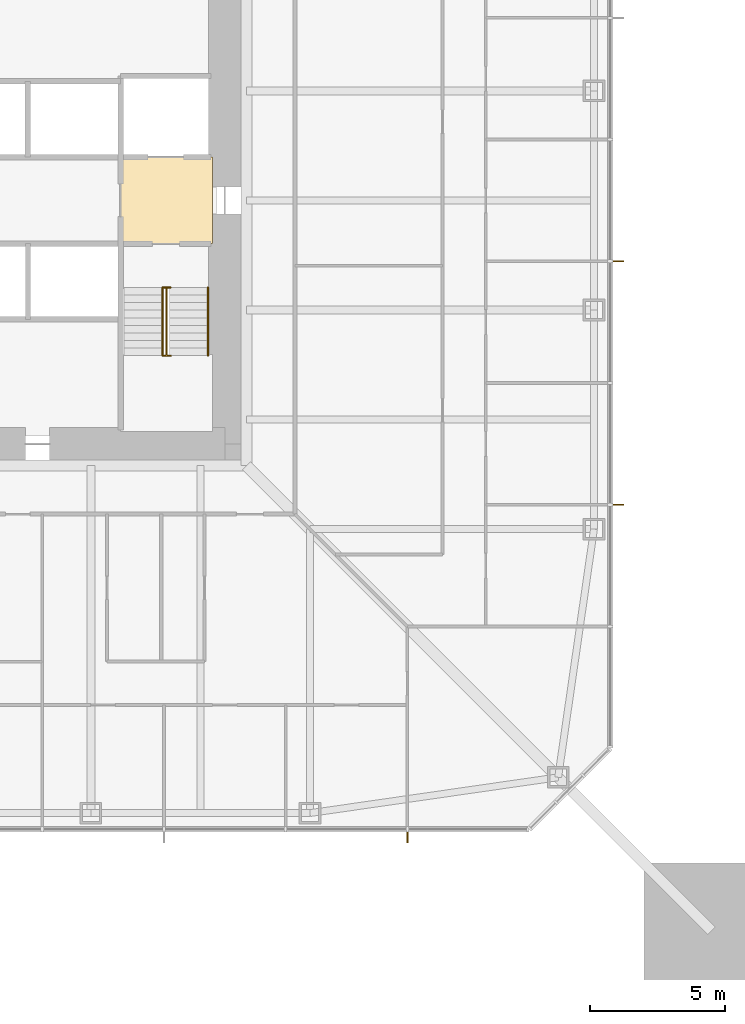
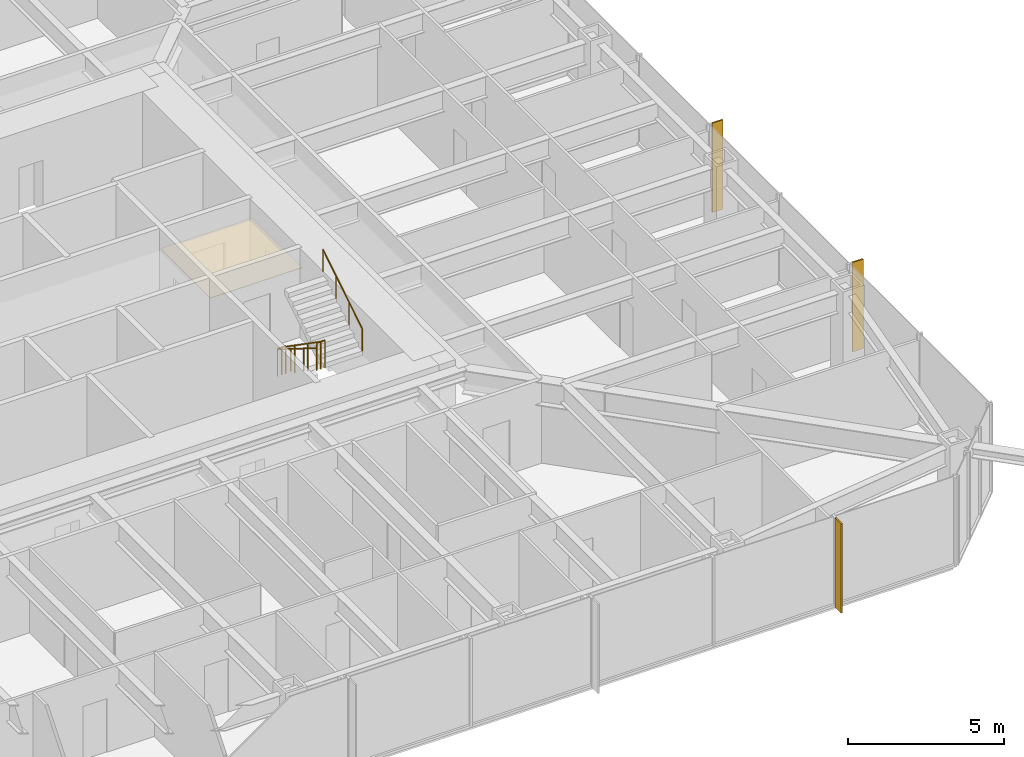
# One storey, part 24 of 26: 3 railings, 3 shading devices, 1 covering.
"""IFC4 building model written with IfcOpenShell, lengths in metres."""

from ifc_helpers import new_model, si_unit, direction, frame, origin, origin_2d, place, context, subcontext, project, spatial, polyline, rectangle, circle, outline, extrude, material, layer, layer_set, constituent, constituent_set, type_object, element, save


model = new_model("IFC4")

# Units and contexts
model_context = context("Model", 3, precision=1e-05, world=origin(), true_north=direction((0.0, 1.0)))
body_context = subcontext(model_context, "Body", "Model", "MODEL_VIEW")
ifc_project = project(units=[si_unit("LENGTHUNIT", "METRE"), si_unit("AREAUNIT", "SQUARE_METRE"), si_unit("VOLUMEUNIT", "CUBIC_METRE"), si_unit("PLANEANGLEUNIT", "RADIAN"), si_unit("MASSUNIT", "GRAM", prefix="KILO")], contexts=[model_context])

# Site, building, storey
site_placement = place(None, origin())
site = spatial("IfcSite", under=ifc_project, at=site_placement, CompositionType="ELEMENT")
building_placement = place(site_placement, origin())
building = spatial("IfcBuilding", under=site, at=building_placement, Name="Iwan Alto Co-Living Towers", CompositionType="ELEMENT")
storey_placement = place(building_placement, frame((0.0, 0.0, 46.5)))
storey = spatial("IfcBuildingStorey", under=building, at=storey_placement, Name="L12", CompositionType="ELEMENT", Elevation=46.5)

# Covering
ifc_material_1 = material(Name="Mineral fibre acoustic tiles on steel grid", Category="steel")
ifc_layer_1 = layer(ifc_material_1, 0.02001953125)
ifc_layer_set_1 = layer_set([ifc_layer_1], Name="ACOUSTIC TILE CEILING 20")
covering_type = type_object("IfcCoveringType", Name="ACOUSTIC TILE CEILING 20", PredefinedType="CEILING", material=ifc_layer_set_1)
covering_placement = place(storey_placement, frame((0.0, 0.0, 2.60009765625)))
element("IfcCovering", 1, at=covering_placement, inside=storey, type_object=covering_type, Name="Ceiling Firefighting lobby L12", PredefinedType="CEILING", context=body_context, shape_type="SweptSolid", body=[
    extrude(outline(polyline([(5.14990234375, -1.60009765625), (5.14990234375, 1.60009765625), (8.550048828125, 1.60009765625), (8.550048828125, -1.60009765625), (5.14990234375, -1.60009765625)])), origin(), (0.0, 0.0, 1.0), 0.02001953125),
])

# Shading devices
ifc_material_2 = material(Name="Aluminium 6063-T6 bronze anodised", Category="aluminium")
ifc_layer_2 = layer(ifc_material_2, 0.050048828125)
ifc_layer_set_2 = layer_set([ifc_layer_2], Name="BRONZE FIN 50X400")
shading_device_type = type_object("IfcShadingDeviceType", Name="BRONZE FIN 50X400", PredefinedType="USERDEFINED", material=ifc_layer_set_2)
for number, where, z_axis, x_axis, name in (
    (2, (15.75, -23.550048828125, 0.0), (0.0, 0.0, 1.0), (1.0, 0.0, 0.0), "Bronze fin L12"),
    (3, (23.550048828125, -11.25, 0.0), (0.0, 0.0, 1.0), (0.0, 1.0, 0.0), "Bronze fin L12"),
    (4, (23.550048828125, -2.25, 0.0), (0.0, 0.0, 1.0), (0.0, 1.0, 0.0), "Bronze fin L12"),
):
    element("IfcShadingDevice", number, at=place(storey_placement, frame(where, z_axis=z_axis, x_axis=x_axis)), inside=storey, type_object=shading_device_type, Name=name, ObjectType="LOUVER", PredefinedType="USERDEFINED", context=body_context, shape_type="SweptSolid", body=[
        extrude(rectangle(XDim=0.050048828125, YDim=0.39990234375, at=origin_2d()), origin(), (0.0, 0.0, 1.0), 3.5),
    ])

# Railings
ifc_material_3 = material(Name="Steel ASTM A500 Gr C", Category="steel")
ifc_constituent_1 = constituent(ifc_material_3, Name="Rails and posts", Category="Framing")
ifc_material_4 = material(Name="Steel ASTM A36", Category="steel")
ifc_constituent_2 = constituent(ifc_material_4, Name="Bar infill", Category="Infill")
ifc_constituent_set = constituent_set(constituents=[ifc_constituent_1, ifc_constituent_2], Name="STAIR GUARD 1100")
railing_type_1 = type_object("IfcRailingType", Name="STAIR GUARD 1100", PredefinedType="GUARDRAIL", material=ifc_constituent_set)
railing_1_placement = place(storey_placement, frame((6.85009765625, -3.219970703125, 0.0)))
element("IfcRailing", 5, at=railing_1_placement, inside=storey, type_object=railing_type_1, Name="Stair T1-S2 well guard L12", PredefinedType="GUARDRAIL", context=body_context, shape_type="SweptSolid", body=[
    extrude(circle(Radius=0.02392578125, at=origin_2d()), frame((0.0, 0.0, 1.076171875), z_axis=(0.0, -0.821372036852, 0.570392826987), x_axis=(1.0, 0.0, 0.0)), (0.0, 0.0, 1.0), 3.068115234375),
    extrude(circle(Radius=0.02392578125, at=origin_2d()), frame((-0.150146484375, 0.0, 1.076171875), z_axis=(1.0, 0.0, 0.0), x_axis=(0.0, 1.0, 0.0)), (0.0, 0.0, 1.0), 0.300048828125),
    extrude(circle(Radius=0.02392578125, at=origin_2d()), frame((-0.150146484375, -2.52001953125, 2.826171875), z_axis=(1.0, 0.0, 0.0), x_axis=(0.0, 1.0, 0.0)), (0.0, 0.0, 1.0), 0.300048828125),
    extrude(circle(Radius=0.02099609375, at=origin_2d()), origin(), (0.0, 0.0, 1.0), 1.052001953125),
    extrude(circle(Radius=0.02099609375, at=origin_2d()), frame((0.0, -0.840087890625, 0.583251953125)), (0.0, 0.0, 1.0), 1.052001953125),
    extrude(circle(Radius=0.02099609375, at=origin_2d()), frame((0.0, -1.679931640625, 1.166748046875)), (0.0, 0.0, 1.0), 1.052001953125),
    extrude(circle(Radius=0.02099609375, at=origin_2d()), frame((0.0, -2.52001953125, 1.75)), (0.0, 0.0, 1.0), 1.052001953125),
    extrude(circle(Radius=0.02099609375, at=origin_2d()), frame((-0.150146484375, 0.0, 0.0)), (0.0, 0.0, 1.0), 1.052001953125),
    extrude(circle(Radius=0.02099609375, at=origin_2d()), frame((0.14990234375, 0.0, 0.0)), (0.0, 0.0, 1.0), 1.052001953125),
    extrude(circle(Radius=0.02099609375, at=origin_2d()), frame((-0.150146484375, -2.52001953125, 1.75)), (0.0, 0.0, 1.0), 1.052001953125),
    extrude(circle(Radius=0.02099609375, at=origin_2d()), frame((0.14990234375, -2.52001953125, 1.75)), (0.0, 0.0, 1.0), 1.052001953125),
])
ifc_material_5 = material(Name="Steel ASTM A500 Gr C", Category="steel")
railing_type_2 = type_object("IfcRailingType", Name="STAIR HANDRAIL 900", PredefinedType="HANDRAIL", material=ifc_material_5)
railing_2_placement = place(storey_placement, frame((6.699951171875, -3.219970703125, 0.175048828125)))
element("IfcRailing", 6, at=railing_2_placement, inside=storey, type_object=railing_type_2, Name="Stair T1-S2 handrail 1 L12", PredefinedType="HANDRAIL", context=body_context, shape_type="SweptSolid", body=[
    extrude(circle(Radius=0.02392578125, at=origin_2d()), frame((0.0, 0.0, 0.8759765625), z_axis=(0.0, -0.848007534815, 0.529984170421), x_axis=(1.0, 0.0, 0.0)), (0.0, 0.0, 1.0), 2.9716796875),
    extrude(circle(Radius=0.02099609375, at=origin_2d()), origin(), (0.0, 0.0, 1.0), 0.851806640625),
    extrude(circle(Radius=0.02099609375, at=origin_2d()), frame((0.0, -0.840087890625, 0.52490234375)), (0.0, 0.0, 1.0), 0.851806640625),
    extrude(circle(Radius=0.02099609375, at=origin_2d()), frame((0.0, -1.679931640625, 1.050048828125)), (0.0, 0.0, 1.0), 0.851806640625),
    extrude(circle(Radius=0.02099609375, at=origin_2d()), frame((0.0, -2.52001953125, 1.574951171875)), (0.0, 0.0, 1.0), 0.851806640625),
])
railing_3_placement = place(storey_placement, frame((8.3798828125, -5.739990234375, 1.925048828125)))
element("IfcRailing", 7, at=railing_3_placement, inside=storey, type_object=railing_type_2, Name="Stair T1-S2 handrail 2 L12", PredefinedType="HANDRAIL", context=body_context, shape_type="SweptSolid", body=[
    extrude(circle(Radius=0.02392578125, at=origin_2d()), frame((0.0, 0.0, 0.8759765625), z_axis=(0.0, 0.848007534815, 0.529984170421), x_axis=(-1.0, 0.0, 0.0)), (0.0, 0.0, 1.0), 2.9716796875),
    extrude(circle(Radius=0.02099609375, at=origin_2d()), origin(), (0.0, 0.0, 1.0), 0.851806640625),
    extrude(circle(Radius=0.02099609375, at=origin_2d()), frame((0.0, 0.840087890625, 0.52490234375)), (0.0, 0.0, 1.0), 0.851806640625),
    extrude(circle(Radius=0.02099609375, at=origin_2d()), frame((0.0, 1.679931640625, 1.050048828125)), (0.0, 0.0, 1.0), 0.851806640625),
    extrude(circle(Radius=0.02099609375, at=origin_2d()), frame((0.0, 2.52001953125, 1.574951171875)), (0.0, 0.0, 1.0), 0.851806640625),
])

save(model, "model.ifc")
